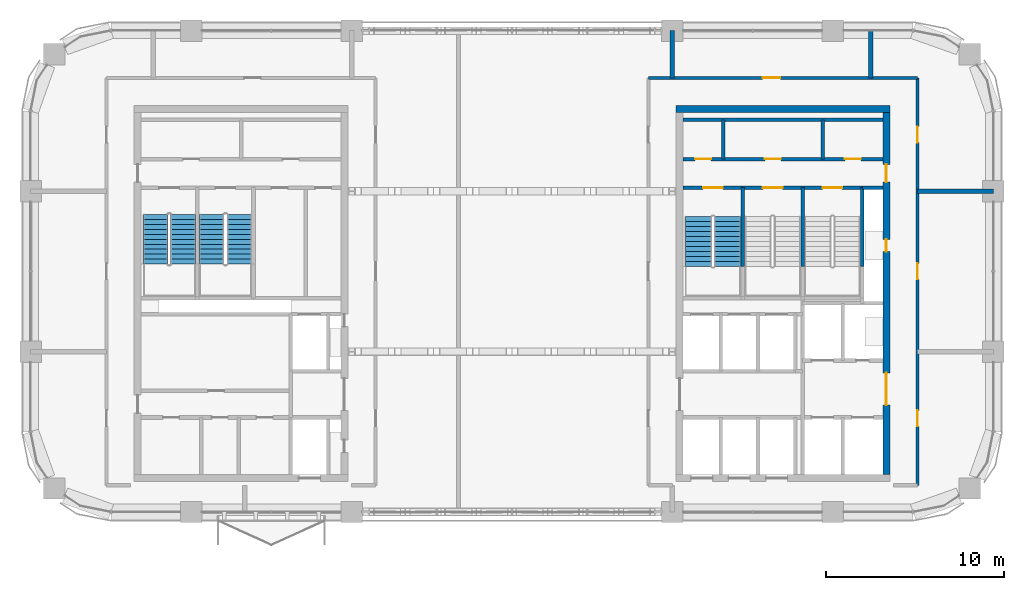
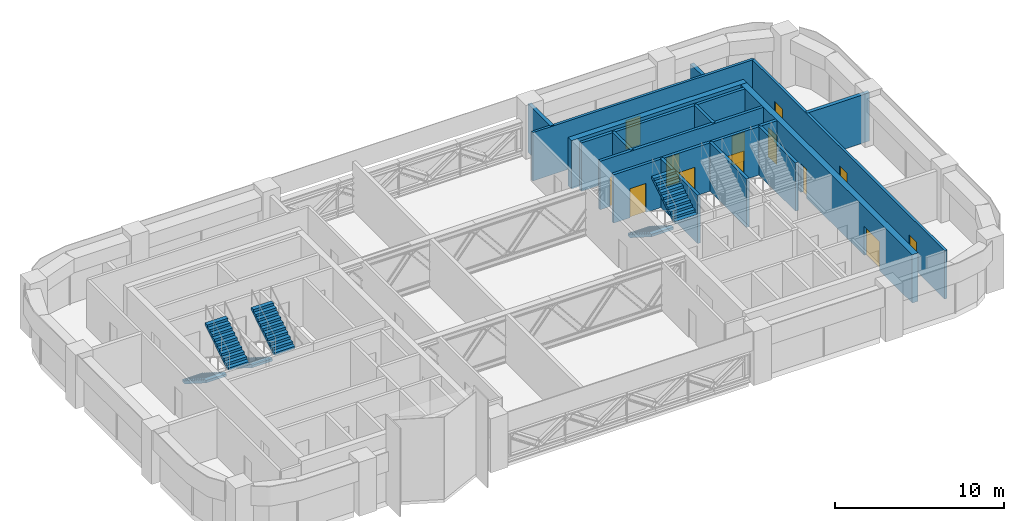
# One storey, part 11 of 14: 16 walls, 13 doors, 6 stair flights, 13 openings, 3 elements without a shape of their own.
"""IFC4 building model written with IfcOpenShell, lengths in metres."""

from ifc_helpers import new_model, si_unit, direction, frame, frame_2d, origin, place, context, subcontext, project, spatial, polyline, rectangle, outline, extrude, material, layer, layer_set, type_object, element, fill, aggregate, save


model = new_model("IFC4")

# Units and contexts
model_context = context("Model", 3, precision=1e-05, world=origin(), true_north=direction((0.0, 1.0)))
body_context = subcontext(model_context, "Body", "Model", "MODEL_VIEW")
ifc_project = project(units=[si_unit("LENGTHUNIT", "METRE"), si_unit("AREAUNIT", "SQUARE_METRE"), si_unit("VOLUMEUNIT", "CUBIC_METRE"), si_unit("PLANEANGLEUNIT", "RADIAN"), si_unit("MASSUNIT", "GRAM", prefix="KILO")], contexts=[model_context])

# Site, building, storey
site_placement = place(None, origin())
site = spatial("IfcSite", under=ifc_project, at=site_placement, CompositionType="ELEMENT")
building_placement = place(site_placement, origin())
building = spatial("IfcBuilding", under=site, at=building_placement, Name="Tessera Arch", CompositionType="ELEMENT")
storey_placement = place(building_placement, frame((0.0, 0.0, 226.699951171875)))
storey = spatial("IfcBuildingStorey", under=building, at=storey_placement, Name="L54", CompositionType="ELEMENT", Elevation=226.699951171875)

# Walls
ifc_material_1 = material(Name="Gypsum board on steel stud", Category="steel")
ifc_layer_1 = layer(ifc_material_1, 0.125)
ifc_layer_set_1 = layer_set([ifc_layer_1], Name="Core partition 125 EI 60")
wall_type_1 = type_object("IfcWallType", Name="Core partition 125 EI 60", PredefinedType="PARTITIONING", material=ifc_layer_set_1)
for number, where, z_axis, x_axis, name in (
    (1, (38.840087890625, 46.800048828125, 0.0), (0.0, 0.0, 1.0), (0.0, 1.0, 0.0), "L54 C1 partition wall 3"),
    (2, (44.43994140625, 46.800048828125, 0.0), (0.0, 0.0, 1.0), (0.0, 1.0, 0.0), "L54 C1 partition wall 13"),
):
    element("IfcWall", number, at=place(storey_placement, frame(where, z_axis=z_axis, x_axis=x_axis)), inside=storey, type_object=wall_type_1, Name=name, PredefinedType="PARTITIONING", context=body_context, shape_type="SweptSolid", body=[
        extrude(rectangle(XDim=2.199951171875, YDim=0.199951171875, at=frame_2d((1.10009765625, 0.0))), origin(), (0.0, 0.0, 1.0), 3.5),
    ])

# Wall, openings, doors
wall_1_placement = place(storey_placement, frame((36.60009765625, 46.800048828125, 0.0), z_axis=(0.0, 0.0, 1.0), x_axis=(1.0, 0.0, 0.0)))
wall_1 = element("IfcWall", 3, at=wall_1_placement, inside=storey, type_object=wall_type_1, Name="L54 C1 partition wall 32", PredefinedType="PARTITIONING", context=body_context, shape_type="SweptSolid", body=[
    extrude(rectangle(XDim=11.199951171875, YDim=0.199951171875, at=frame_2d((5.60009765625, 0.0))), origin(), (0.0, 0.0, 1.0), 3.5),
])
opening_1_placement = place(wall_1_placement, frame((0.669921875, 0.0, 0.0)))
opening_1 = element("IfcOpeningElement", 4, at=opening_1_placement, cuts=wall_1, Name="Opening L54-C18", PredefinedType="OPENING", context=body_context, shape_type="SweptSolid", body=[
    extrude(rectangle(XDim=0.89990234375, YDim=2.10009765625, at=frame_2d((0.449951171875, 1.050048828125))), frame((0.0, 0.10986328125, 0.0), z_axis=(0.0, -1.0, 0.0), x_axis=(1.0, 0.0, 0.0)), (0.0, 0.0, 1.0), 0.219970703125),
])
opening_2_placement = place(wall_1_placement, frame((4.590087890625, 0.0, 0.0)))
opening_2 = element("IfcOpeningElement", 5, at=opening_2_placement, cuts=wall_1, Name="Opening L54-C19", PredefinedType="OPENING", context=body_context, shape_type="SweptSolid", body=[
    extrude(rectangle(XDim=0.89990234375, YDim=2.10009765625, at=frame_2d((0.449951171875, 1.050048828125))), frame((0.0, 0.10986328125, 0.0), z_axis=(0.0, -1.0, 0.0), x_axis=(1.0, 0.0, 0.0)), (0.0, 0.0, 1.0), 0.219970703125),
])
opening_3_placement = place(wall_1_placement, frame((9.070068359375, 0.0, 0.0)))
opening_3 = element("IfcOpeningElement", 6, at=opening_3_placement, cuts=wall_1, Name="Opening L54-C20", PredefinedType="OPENING", context=body_context, shape_type="SweptSolid", body=[
    extrude(rectangle(XDim=0.89990234375, YDim=2.10009765625, at=frame_2d((0.449951171875, 1.050048828125))), frame((0.0, 0.10986328125, 0.0), z_axis=(0.0, -1.0, 0.0), x_axis=(1.0, 0.0, 0.0)), (0.0, 0.0, 1.0), 0.219970703125),
])
ifc_material_2 = material(Name="Steel door leaf", Category="steel")
door_type_1 = type_object("IfcDoorType", Name="Store door FD30S 900 x 2100", OperationType="SINGLE_SWING_LEFT", PredefinedType="DOOR", material=ifc_material_2)
door_1_placement = place(opening_1_placement, origin())
door_1 = element("IfcDoor", 7, at=door_1_placement, inside=storey, type_object=door_type_1, Name="L54 C1 door 18 C18 type D09", OperationType="SINGLE_SWING_LEFT", OverallHeight=2.10009765625, OverallWidth=0.89990234375, PredefinedType="DOOR", context=body_context, shape_type="SweptSolid", body=[
    extrude(rectangle(XDim=0.89990234375, YDim=2.10009765625, at=frame_2d((0.449951171875, 1.050048828125))), frame((0.0, 0.02490234375, 0.0), z_axis=(0.0, -1.0, 0.0), x_axis=(1.0, 0.0, 0.0)), (0.0, 0.0, 1.0), 0.050048828125),
])
fill(opening_1, door_1)
door_2_placement = place(opening_2_placement, origin())
door_2 = element("IfcDoor", 8, at=door_2_placement, inside=storey, type_object=door_type_1, Name="L54 C1 door 19 C19 type D09", OperationType="SINGLE_SWING_LEFT", OverallHeight=2.10009765625, OverallWidth=0.89990234375, PredefinedType="DOOR", context=body_context, shape_type="SweptSolid", body=[
    extrude(rectangle(XDim=0.89990234375, YDim=2.10009765625, at=frame_2d((0.449951171875, 1.050048828125))), frame((0.0, 0.02490234375, 0.0), z_axis=(0.0, -1.0, 0.0), x_axis=(1.0, 0.0, 0.0)), (0.0, 0.0, 1.0), 0.050048828125),
])
fill(opening_2, door_2)
door_3_placement = place(opening_3_placement, origin())
door_3 = element("IfcDoor", 9, at=door_3_placement, inside=storey, type_object=door_type_1, Name="L54 C1 door 20 C20 type D09", OperationType="SINGLE_SWING_RIGHT", OverallHeight=2.10009765625, OverallWidth=0.89990234375, PredefinedType="DOOR", context=body_context, shape_type="SweptSolid", body=[
    extrude(rectangle(XDim=0.89990234375, YDim=2.10009765625, at=frame_2d((0.449951171875, 1.050048828125))), frame((0.0, 0.02490234375, 0.0), z_axis=(0.0, -1.0, 0.0), x_axis=(1.0, 0.0, 0.0)), (0.0, 0.0, 1.0), 0.050048828125),
])
fill(opening_3, door_3)

# Walls
wall_2_placement = place(storey_placement, frame((36.60009765625, 49.0, 0.0), z_axis=(0.0, 0.0, 1.0), x_axis=(1.0, 0.0, 0.0)))
element("IfcWall", 10, at=wall_2_placement, inside=storey, type_object=wall_type_1, Name="L54 C1 partition wall 33", PredefinedType="PARTITIONING", context=body_context, shape_type="SweptSolid", body=[
    extrude(rectangle(XDim=11.199951171875, YDim=0.199951171875, at=frame_2d((5.60009765625, 0.0))), origin(), (0.0, 0.0, 1.0), 3.5),
])
ifc_material_3 = material(Name="Concrete C50/60", Category="concrete")
ifc_layer_2 = layer(ifc_material_3, 0.39990234375)
ifc_layer_set_2 = layer_set([ifc_layer_2], Name="Core shell wall 400 C50-60")
wall_type_2 = type_object("IfcWallType", Name="Core shell wall 400 C50-60", PredefinedType="SHEAR", material=ifc_layer_set_2)
wall_3_placement = place(storey_placement, frame((36.199951171875, 49.60009765625, 0.0), z_axis=(0.0, 0.0, 1.0), x_axis=(1.0, 0.0, 0.0)))
element("IfcWall", 11, at=wall_3_placement, inside=storey, type_object=wall_type_2, Name="L54 C1 core wall N", PredefinedType="SHEAR", context=body_context, shape_type="SweptSolid", body=[
    extrude(rectangle(XDim=12.0, YDim=0.39990234375, at=frame_2d((6.0, 0.0))), origin(), (0.0, 0.0, 1.0), 3.5),
])

# Wall, openings, doors
wall_4_placement = place(storey_placement, frame((48.0, 29.10009765625, 0.0), z_axis=(0.0, 0.0, 1.0), x_axis=(0.0, 1.0, 0.0)))
wall_4 = element("IfcWall", 12, at=wall_4_placement, inside=storey, type_object=wall_type_2, Name="L54 C1 core wall E", PredefinedType="SHEAR", context=body_context, shape_type="SweptSolid", body=[
    extrude(rectangle(XDim=20.2998046875, YDim=0.39990234375, at=frame_2d((10.14990234375, 0.0))), origin(), (0.0, 0.0, 1.0), 3.5),
])
opening_4_placement = place(wall_4_placement, frame((12.5, 0.0, 0.0)))
opening_4 = element("IfcOpeningElement", 13, at=opening_4_placement, cuts=wall_4, Name="Opening L54-C14", PredefinedType="OPENING", context=body_context, shape_type="SweptSolid", body=[
    extrude(rectangle(XDim=0.699951171875, YDim=2.10009765625, at=frame_2d((0.35009765625, 1.050048828125))), frame((0.0, 0.2099609375, 0.0), z_axis=(0.0, -1.0, 0.0), x_axis=(1.0, 0.0, 0.0)), (0.0, 0.0, 1.0), 0.419921875),
])
opening_5_placement = place(wall_4_placement, frame((3.89990234375, 0.0, 0.0)))
opening_5 = element("IfcOpeningElement", 14, at=opening_5_placement, cuts=wall_4, Name="Opening L54-C15", PredefinedType="OPENING", context=body_context, shape_type="SweptSolid", body=[
    extrude(rectangle(XDim=1.800048828125, YDim=2.10009765625, at=frame_2d((0.89990234375, 1.050048828125))), frame((0.0, 0.2099609375, 0.0), z_axis=(0.0, -1.0, 0.0), x_axis=(1.0, 0.0, 0.0)), (0.0, 0.0, 1.0), 0.419921875),
])
opening_6_placement = place(wall_4_placement, frame((16.39990234375, 0.0, 0.0)))
opening_6 = element("IfcOpeningElement", 15, at=opening_6_placement, cuts=wall_4, Name="Opening L54-C17", PredefinedType="OPENING", context=body_context, shape_type="SweptSolid", body=[
    extrude(rectangle(XDim=1.0, YDim=2.10009765625, at=frame_2d((0.5, 1.050048828125))), frame((0.0, 0.2099609375, 0.0), z_axis=(0.0, -1.0, 0.0), x_axis=(1.0, 0.0, 0.0)), (0.0, 0.0, 1.0), 0.419921875),
])
ifc_material_4 = material(Name="Steel door leaf", Category="steel")
door_type_2 = type_object("IfcDoorType", Name="Corridor door FD60 1000 x 2100", OperationType="SINGLE_SWING_LEFT", PredefinedType="DOOR", material=ifc_material_4)
door_4_placement = place(opening_6_placement, origin())
door_4 = element("IfcDoor", 16, at=door_4_placement, inside=storey, type_object=door_type_2, Name="L54 C1 door 17 C17 type D12", OperationType="SINGLE_SWING_RIGHT", OverallHeight=2.10009765625, OverallWidth=1.0, PredefinedType="DOOR", context=body_context, shape_type="SweptSolid", body=[
    extrude(rectangle(XDim=1.0, YDim=2.10009765625, at=frame_2d((0.5, 1.050048828125))), frame((0.0, 0.02490234375, 0.0), z_axis=(0.0, -1.0, 0.0), x_axis=(1.0, 0.0, 0.0)), (0.0, 0.0, 1.0), 0.050048828125),
])
fill(opening_6, door_4)
ifc_material_5 = material(Name="Glazed steel door leaf", Category="steel")
door_type_3 = type_object("IfcDoorType", Name="Lobby double door FD60 1800 x 2100", OperationType="DOUBLE_DOOR_SINGLE_SWING", PredefinedType="DOOR", material=ifc_material_5)
door_5_placement = place(opening_5_placement, origin())
door_5 = element("IfcDoor", 17, at=door_5_placement, inside=storey, type_object=door_type_3, Name="L54 C1 door 15 C15 type D19", OperationType="DOUBLE_DOOR_SINGLE_SWING", OverallHeight=2.10009765625, OverallWidth=1.800048828125, PredefinedType="DOOR", context=body_context, shape_type="SweptSolid", body=[
    extrude(rectangle(XDim=1.800048828125, YDim=2.10009765625, at=frame_2d((0.89990234375, 1.050048828125))), frame((0.0, 0.02490234375, 0.0), z_axis=(0.0, -1.0, 0.0), x_axis=(1.0, 0.0, 0.0)), (0.0, 0.0, 1.0), 0.050048828125),
])
fill(opening_5, door_5)
ifc_material_6 = material(Name="Steel door leaf", Category="steel")
door_type_4 = type_object("IfcDoorType", Name="Service shaft door FD60 700 x 2100", OperationType="SINGLE_SWING_LEFT", PredefinedType="DOOR", material=ifc_material_6)
door_6_placement = place(opening_4_placement, origin())
door_6 = element("IfcDoor", 18, at=door_6_placement, inside=storey, type_object=door_type_4, Name="L54 C1 door 14 C14 type D07", OperationType="SINGLE_SWING_RIGHT", OverallHeight=2.10009765625, OverallWidth=0.699951171875, PredefinedType="DOOR", context=body_context, shape_type="SweptSolid", body=[
    extrude(rectangle(XDim=0.699951171875, YDim=2.10009765625, at=frame_2d((0.35009765625, 1.050048828125))), frame((0.0, 0.02490234375, 0.0), z_axis=(0.0, -1.0, 0.0), x_axis=(1.0, 0.0, 0.0)), (0.0, 0.0, 1.0), 0.050048828125),
])
fill(opening_4, door_6)

# Wall, opening, door
ifc_material_7 = material(Name="Gypsum board on deep steel stud with mineral wool", Category="steel")
ifc_layer_3 = layer(ifc_material_7, 0.175048828125)
ifc_layer_set_3 = layer_set([ifc_layer_3], Name="Corridor wall 175 EI 60")
wall_type_3 = type_object("IfcWallType", Name="Corridor wall 175 EI 60", PredefinedType="PARTITIONING", material=ifc_layer_set_3)
wall_5_placement = place(storey_placement, frame((34.64990234375, 51.35009765625, 0.0), z_axis=(0.0, 0.0, 1.0), x_axis=(1.0, 0.0, 0.0)))
wall_5 = element("IfcWall", 19, at=wall_5_placement, inside=storey, type_object=wall_type_3, Name="L54 partition 6", PredefinedType="PARTITIONING", context=body_context, shape_type="SweptSolid", body=[
    extrude(rectangle(XDim=15.10009765625, YDim=0.175048828125, at=frame_2d((7.550048828125, 0.0))), origin(), (0.0, 0.0, 1.0), 3.5),
])
opening_7_placement = place(wall_5_placement, frame((6.40673828125, 0.0, 0.0)))
opening_7 = element("IfcOpeningElement", 20, at=opening_7_placement, cuts=wall_5, Name="Opening L54-D014", PredefinedType="OPENING", context=body_context, shape_type="SweptSolid", body=[
    extrude(rectangle(XDim=1.0, YDim=2.10009765625, at=frame_2d((0.5, 1.050048828125))), frame((0.0, 0.097412109375, 0.0), z_axis=(0.0, -1.0, 0.0), x_axis=(1.0, 0.0, 0.0)), (0.0, 0.0, 1.0), 0.195068359375),
])
ifc_material_8 = material(Name="Fire-rated door leaf")
door_type_5 = type_object("IfcDoorType", Name="Entrance door FD30S 1000 x 2100", OperationType="SINGLE_SWING_LEFT", PredefinedType="DOOR", material=ifc_material_8)
door_7_placement = place(opening_7_placement, origin())
door_7 = element("IfcDoor", 21, at=door_7_placement, inside=storey, type_object=door_type_5, Name="L54 door D014 type D03", OperationType="SINGLE_SWING_RIGHT", OverallHeight=2.10009765625, OverallWidth=1.0, PredefinedType="DOOR", context=body_context, shape_type="SweptSolid", body=[
    extrude(rectangle(XDim=1.0, YDim=2.10009765625, at=frame_2d((0.5, 1.050048828125))), frame((0.0, 0.02490234375, 0.0), z_axis=(0.0, -1.0, 0.0), x_axis=(1.0, 0.0, 0.0)), (0.0, 0.0, 1.0), 0.050048828125),
])
fill(opening_7, door_7)

# Wall, openings, doors
wall_6_placement = place(storey_placement, frame((49.75, 28.5, 0.0), z_axis=(0.0, 0.0, 1.0), x_axis=(0.0, 1.0, 0.0)))
wall_6 = element("IfcWall", 22, at=wall_6_placement, inside=storey, type_object=wall_type_3, Name="L54 partition 10", PredefinedType="PARTITIONING", context=body_context, shape_type="SweptSolid", body=[
    extrude(rectangle(XDim=22.85009765625, YDim=0.175048828125, at=frame_2d((11.425048828125, 0.0))), origin(), (0.0, 0.0, 1.0), 3.5),
])
opening_8_placement = place(wall_6_placement, frame((3.300048828125, 0.0, 0.0)))
opening_8 = element("IfcOpeningElement", 23, at=opening_8_placement, cuts=wall_6, Name="Opening L54-D001", PredefinedType="OPENING", context=body_context, shape_type="SweptSolid", body=[
    extrude(rectangle(XDim=0.89990234375, YDim=2.10009765625, at=frame_2d((0.449951171875, 1.050048828125))), frame((0.0, 0.097412109375, 0.0), z_axis=(0.0, -1.0, 0.0), x_axis=(1.0, 0.0, 0.0)), (0.0, 0.0, 1.0), 0.195068359375),
])
opening_9_placement = place(wall_6_placement, frame((11.550048828125, 0.0, 0.0)))
opening_9 = element("IfcOpeningElement", 24, at=opening_9_placement, cuts=wall_6, Name="Opening L54-D008", PredefinedType="OPENING", context=body_context, shape_type="SweptSolid", body=[
    extrude(rectangle(XDim=0.89990234375, YDim=2.10009765625, at=frame_2d((0.449951171875, 1.050048828125))), frame((0.0, 0.097412109375, 0.0), z_axis=(0.0, -1.0, 0.0), x_axis=(1.0, 0.0, 0.0)), (0.0, 0.0, 1.0), 0.195068359375),
])
opening_10_placement = place(wall_6_placement, frame((19.22509765625, 0.0, 0.0)))
opening_10 = element("IfcOpeningElement", 25, at=opening_10_placement, cuts=wall_6, Name="Opening L54-D011", PredefinedType="OPENING", context=body_context, shape_type="SweptSolid", body=[
    extrude(rectangle(XDim=0.89990234375, YDim=2.10009765625, at=frame_2d((0.449951171875, 1.050048828125))), frame((0.0, 0.097412109375, 0.0), z_axis=(0.0, -1.0, 0.0), x_axis=(1.0, 0.0, 0.0)), (0.0, 0.0, 1.0), 0.195068359375),
])
ifc_material_9 = material(Name="Timber door leaf", Category="wood")
door_type_6 = type_object("IfcDoorType", Name="Room door 900 x 2100", OperationType="SINGLE_SWING_LEFT", PredefinedType="DOOR", material=ifc_material_9)
door_8_placement = place(opening_8_placement, origin())
door_8 = element("IfcDoor", 26, at=door_8_placement, inside=storey, type_object=door_type_6, Name="L54 door D001 type D01", OperationType="SINGLE_SWING_RIGHT", OverallHeight=2.10009765625, OverallWidth=0.89990234375, PredefinedType="DOOR", context=body_context, shape_type="SweptSolid", body=[
    extrude(rectangle(XDim=0.89990234375, YDim=2.10009765625, at=frame_2d((0.449951171875, 1.050048828125))), frame((0.0, 0.02490234375, 0.0), z_axis=(0.0, -1.0, 0.0), x_axis=(1.0, 0.0, 0.0)), (0.0, 0.0, 1.0), 0.050048828125),
])
fill(opening_8, door_8)
door_9_placement = place(opening_9_placement, origin())
door_9 = element("IfcDoor", 27, at=door_9_placement, inside=storey, type_object=door_type_6, Name="L54 door D008 type D01", OperationType="SINGLE_SWING_LEFT", OverallHeight=2.10009765625, OverallWidth=0.89990234375, PredefinedType="DOOR", context=body_context, shape_type="SweptSolid", body=[
    extrude(rectangle(XDim=0.89990234375, YDim=2.10009765625, at=frame_2d((0.449951171875, 1.050048828125))), frame((0.0, 0.02490234375, 0.0), z_axis=(0.0, -1.0, 0.0), x_axis=(1.0, 0.0, 0.0)), (0.0, 0.0, 1.0), 0.050048828125),
])
fill(opening_9, door_9)
door_10_placement = place(opening_10_placement, origin())
door_10 = element("IfcDoor", 28, at=door_10_placement, inside=storey, type_object=door_type_6, Name="L54 door D011 type D01", OperationType="SINGLE_SWING_RIGHT", OverallHeight=2.10009765625, OverallWidth=0.89990234375, PredefinedType="DOOR", context=body_context, shape_type="SweptSolid", body=[
    extrude(rectangle(XDim=0.89990234375, YDim=2.10009765625, at=frame_2d((0.449951171875, 1.050048828125))), frame((0.0, 0.02490234375, 0.0), z_axis=(0.0, -1.0, 0.0), x_axis=(1.0, 0.0, 0.0)), (0.0, 0.0, 1.0), 0.050048828125),
])
fill(opening_10, door_10)

# Walls
ifc_material_10 = material(Name="Double gypsum board on twin steel stud with acoustic mineral wool", Category="steel")
ifc_layer_4 = layer(ifc_material_10, 0.25)
ifc_layer_set_4 = layer_set([ifc_layer_4], Name="Party wall 250 EI 60")
wall_type_4 = type_object("IfcWallType", Name="Party wall 250 EI 60", PredefinedType="PARTITIONING", material=ifc_layer_set_4)
wall_7_placement = place(storey_placement, frame((49.75, 45.0, 0.0), z_axis=(0.0, 0.0, 1.0), x_axis=(1.0, 0.0, 0.0)))
element("IfcWall", 29, at=wall_7_placement, inside=storey, type_object=wall_type_4, Name="L54 partition 16", PredefinedType="PARTITIONING", context=body_context, shape_type="SweptSolid", body=[
    extrude(rectangle(XDim=4.25, YDim=0.25, at=frame_2d((2.125, 0.0))), origin(), (0.0, 0.0, 1.0), 3.5),
])
wall_8_placement = place(storey_placement, frame((36.0, 51.35009765625, 0.0), z_axis=(0.0, 0.0, 1.0), x_axis=(0.0, 1.0, 0.0)))
element("IfcWall", 30, at=wall_8_placement, inside=storey, type_object=wall_type_4, Name="L54 partition 22", PredefinedType="PARTITIONING", context=body_context, shape_type="SweptSolid", body=[
    extrude(rectangle(XDim=2.64990234375, YDim=0.25, at=frame_2d((1.324951171875, 0.0))), origin(), (0.0, 0.0, 1.0), 3.5),
])
wall_9_placement = place(storey_placement, frame((47.114013671875, 51.35009765625, 0.0), z_axis=(0.0, 0.0, 1.0), x_axis=(0.0, 1.0, 0.0)))
element("IfcWall", 31, at=wall_9_placement, inside=storey, type_object=wall_type_4, Name="L54 partition 23", PredefinedType="PARTITIONING", context=body_context, shape_type="SweptSolid", body=[
    extrude(rectangle(XDim=2.64990234375, YDim=0.25, at=frame_2d((1.324951171875, 0.0))), origin(), (0.0, 0.0, 1.0), 2.5),
])
ifc_material_11 = material(Name="Concrete C40/50", Category="concrete")
ifc_layer_5 = layer(ifc_material_11, 0.199951171875)
ifc_layer_set_5 = layer_set([ifc_layer_5], Name="Shaft wall 200 EI 120")
wall_type_5 = type_object("IfcWallType", Name="Shaft wall 200 EI 120", PredefinedType="SOLIDWALL", material=ifc_layer_set_5)
wall_10_placement = place(storey_placement, frame((46.64990234375, 45.199951171875, 0.0), z_axis=(0.0, 0.0, 1.0), x_axis=(1.0, 0.0, 0.0)))
element("IfcWall", 32, at=wall_10_placement, inside=storey, type_object=wall_type_5, Name="L54 C1 shaft wall 30", PredefinedType="SOLIDWALL", context=body_context, shape_type="SweptSolid", body=[
    extrude(rectangle(XDim=1.150146484375, YDim=0.199951171875, at=frame_2d((0.5751953125, 0.0))), origin(), (0.0, 0.0, 1.0), 3.5),
])
ifc_material_12 = material(Name="Concrete C40/50", Category="concrete")
ifc_layer_6 = layer(ifc_material_12, 0.199951171875)
ifc_layer_set_6 = layer_set([ifc_layer_6], Name="Stair well wall 200 REI 180")
wall_type_6 = type_object("IfcWallType", Name="Stair well wall 200 REI 180", PredefinedType="SOLIDWALL", material=ifc_layer_set_6)
for number, where, z_axis, x_axis, name in (
    (33, (39.949951171875, 40.780029296875, 0.0), (0.0, 0.0, 1.0), (0.0, 1.0, 0.0), "L54 C1 shaft wall 5"),
    (34, (43.300048828125, 40.780029296875, 0.0), (0.0, 0.0, 1.0), (0.0, 1.0, 0.0), "L54 C1 shaft wall 12"),
    (35, (46.64990234375, 40.780029296875, 0.0), (0.0, 0.0, 1.0), (0.0, 1.0, 0.0), "L54 C1 shaft wall 18"),
):
    element("IfcWall", number, at=place(storey_placement, frame(where, z_axis=z_axis, x_axis=x_axis)), inside=storey, type_object=wall_type_6, Name=name, PredefinedType="SOLIDWALL", context=body_context, shape_type="SweptSolid", body=[
        extrude(rectangle(XDim=4.419921875, YDim=0.199951171875, at=frame_2d((2.2099609375, 0.0))), origin(), (0.0, 0.0, 1.0), 3.5),
    ])

# Wall, openings, doors
wall_11_placement = place(storey_placement, frame((36.60009765625, 45.199951171875, 0.0), z_axis=(0.0, 0.0, 1.0), x_axis=(1.0, 0.0, 0.0)))
wall_11 = element("IfcWall", 36, at=wall_11_placement, inside=storey, type_object=wall_type_6, Name="L54 C1 shaft wall 31", PredefinedType="SOLIDWALL", context=body_context, shape_type="SweptSolid", body=[
    extrude(rectangle(XDim=10.0498046875, YDim=0.199951171875, at=frame_2d((5.02490234375, 0.0))), origin(), (0.0, 0.0, 1.0), 3.5),
])
opening_11_placement = place(wall_11_placement, frame((1.125, 0.0, 0.0)))
opening_11 = element("IfcOpeningElement", 37, at=opening_11_placement, cuts=wall_11, Name="Opening L54-C11", PredefinedType="OPENING", context=body_context, shape_type="SweptSolid", body=[
    extrude(rectangle(XDim=1.10009765625, YDim=2.10009765625, at=frame_2d((0.550048828125, 1.050048828125))), frame((0.0, 0.10986328125, 0.0), z_axis=(0.0, -1.0, 0.0), x_axis=(1.0, 0.0, 0.0)), (0.0, 0.0, 1.0), 0.219970703125),
])
opening_12_placement = place(wall_11_placement, frame((4.47509765625, 0.0, 0.0)))
opening_12 = element("IfcOpeningElement", 38, at=opening_12_placement, cuts=wall_11, Name="Opening L54-C12", PredefinedType="OPENING", context=body_context, shape_type="SweptSolid", body=[
    extrude(rectangle(XDim=1.10009765625, YDim=2.10009765625, at=frame_2d((0.550048828125, 1.050048828125))), frame((0.0, 0.10986328125, 0.0), z_axis=(0.0, -1.0, 0.0), x_axis=(1.0, 0.0, 0.0)), (0.0, 0.0, 1.0), 0.219970703125),
])
opening_13_placement = place(wall_11_placement, frame((7.824951171875, 0.0, 0.0)))
opening_13 = element("IfcOpeningElement", 39, at=opening_13_placement, cuts=wall_11, Name="Opening L54-C13", PredefinedType="OPENING", context=body_context, shape_type="SweptSolid", body=[
    extrude(rectangle(XDim=1.10009765625, YDim=2.10009765625, at=frame_2d((0.550048828125, 1.050048828125))), frame((0.0, 0.10986328125, 0.0), z_axis=(0.0, -1.0, 0.0), x_axis=(1.0, 0.0, 0.0)), (0.0, 0.0, 1.0), 0.219970703125),
])
ifc_material_13 = material(Name="Steel door leaf", Category="steel")
door_type_7 = type_object("IfcDoorType", Name="Stair door FD60 1100 x 2100", OperationType="SINGLE_SWING_LEFT", PredefinedType="DOOR", material=ifc_material_13)
door_11_placement = place(opening_11_placement, origin())
door_11 = element("IfcDoor", 40, at=door_11_placement, inside=storey, type_object=door_type_7, Name="L54 C1 door 11 C11 type D05", OperationType="SINGLE_SWING_LEFT", OverallHeight=2.10009765625, OverallWidth=1.10009765625, PredefinedType="DOOR", context=body_context, shape_type="SweptSolid", body=[
    extrude(rectangle(XDim=1.10009765625, YDim=2.10009765625, at=frame_2d((0.550048828125, 1.050048828125))), frame((0.0, 0.02490234375, 0.0), z_axis=(0.0, -1.0, 0.0), x_axis=(1.0, 0.0, 0.0)), (0.0, 0.0, 1.0), 0.050048828125),
])
fill(opening_11, door_11)
door_12_placement = place(opening_12_placement, origin())
door_12 = element("IfcDoor", 41, at=door_12_placement, inside=storey, type_object=door_type_7, Name="L54 C1 door 12 C12 type D05", OperationType="SINGLE_SWING_RIGHT", OverallHeight=2.10009765625, OverallWidth=1.10009765625, PredefinedType="DOOR", context=body_context, shape_type="SweptSolid", body=[
    extrude(rectangle(XDim=1.10009765625, YDim=2.10009765625, at=frame_2d((0.550048828125, 1.050048828125))), frame((0.0, 0.02490234375, 0.0), z_axis=(0.0, -1.0, 0.0), x_axis=(1.0, 0.0, 0.0)), (0.0, 0.0, 1.0), 0.050048828125),
])
fill(opening_12, door_12)
door_13_placement = place(opening_13_placement, origin())
door_13 = element("IfcDoor", 42, at=door_13_placement, inside=storey, type_object=door_type_7, Name="L54 C1 door 13 C13 type D05", OperationType="SINGLE_SWING_RIGHT", OverallHeight=2.10009765625, OverallWidth=1.10009765625, PredefinedType="DOOR", context=body_context, shape_type="SweptSolid", body=[
    extrude(rectangle(XDim=1.10009765625, YDim=2.10009765625, at=frame_2d((0.550048828125, 1.050048828125))), frame((0.0, 0.02490234375, 0.0), z_axis=(0.0, -1.0, 0.0), x_axis=(1.0, 0.0, 0.0)), (0.0, 0.0, 1.0), 0.050048828125),
])
fill(opening_13, door_13)

# Stair, stair flights
ifc_material_14 = material(Name="Concrete C40/50", Category="concrete")
stair_type_1 = type_object("IfcStairType", Name="Dogleg stair 1400", PredefinedType="HALF_TURN_STAIR", material=ifc_material_14)
stair_1_placement = place(storey_placement, origin())
stair_1 = element("IfcStair", 43, at=stair_1_placement, inside=storey, type_object=stair_type_1, Name="L54 S2a", PredefinedType="HALF_TURN_STAIR")
ifc_material_15 = material(Name="Concrete C40/50", Category="concrete")
stair_flight_type_1 = type_object("IfcStairFlightType", Name="Stair flight 1400", PredefinedType="STRAIGHT", material=ifc_material_15)
stair_flight_1_placement = place(storey_placement, frame((7.0, 43.699951171875, 0.0), z_axis=(0.0, 0.0, 1.0), x_axis=(0.0, -1.0, 0.0)))
stair_flight_1 = element("IfcStairFlight", 44, at=stair_flight_1_placement, type_object=stair_flight_type_1, Name="S2a flight 1", NumberOfRisers=11, NumberOfTreads=10, PredefinedType="STRAIGHT", RiserHeight=0.177272727, TreadLength=0.28, context=body_context, shape_type="SweptSolid", body=[
    extrude(outline(polyline([(0.0, 0.0), (0.0, 0.17724609375), (0.280029296875, 0.17724609375), (0.280029296875, 0.3544921875), (0.56005859375, 0.3544921875), (0.56005859375, 0.53173828125), (0.840087890625, 0.53173828125), (0.840087890625, 0.708984375), (1.1201171875, 0.708984375), (1.1201171875, 0.886474609375), (1.39990234375, 0.886474609375), (1.39990234375, 1.063720703125), (1.679931640625, 1.063720703125), (1.679931640625, 1.240966796875), (1.9599609375, 1.240966796875), (1.9599609375, 1.418212890625), (2.239990234375, 1.418212890625), (2.239990234375, 1.595458984375), (2.52001953125, 1.595458984375), (2.52001953125, 1.772705078125), (2.800048828125, 1.772705078125), (2.800048828125, 1.949951171875), (2.800048828125, 1.59521484375), (0.2802734375, 0.0), (0.0, 0.0)])), frame((0.0, 0.699951171875, 0.0), z_axis=(0.0, -1.0, 0.0), x_axis=(1.0, 0.0, 0.0)), (0.0, 0.0, 1.0), 1.39990234375),
])
stair_flight_2_placement = place(storey_placement, frame((8.550048828125, 40.89990234375, 1.949951171875), z_axis=(0.0, 0.0, 1.0), x_axis=(0.0, 1.0, 0.0)))
stair_flight_2 = element("IfcStairFlight", 45, at=stair_flight_2_placement, type_object=stair_flight_type_1, Name="S2a flight 2", NumberOfRisers=11, NumberOfTreads=10, PredefinedType="STRAIGHT", RiserHeight=0.177272727, TreadLength=0.28, context=body_context, shape_type="SweptSolid", body=[
    extrude(outline(polyline([(0.0, 0.0), (0.0, 0.17724609375), (0.280029296875, 0.17724609375), (0.280029296875, 0.3544921875), (0.56005859375, 0.3544921875), (0.56005859375, 0.53173828125), (0.840087890625, 0.53173828125), (0.840087890625, 0.708984375), (1.1201171875, 0.708984375), (1.1201171875, 0.886474609375), (1.39990234375, 0.886474609375), (1.39990234375, 1.063720703125), (1.679931640625, 1.063720703125), (1.679931640625, 1.240966796875), (1.9599609375, 1.240966796875), (1.9599609375, 1.418212890625), (2.239990234375, 1.418212890625), (2.239990234375, 1.595458984375), (2.52001953125, 1.595458984375), (2.52001953125, 1.772705078125), (2.800048828125, 1.772705078125), (2.800048828125, 1.949951171875), (2.800048828125, 1.59521484375), (0.2802734375, 0.0), (0.0, 0.0)])), frame((0.0, 0.699951171875, 0.0), z_axis=(0.0, -1.0, 0.0), x_axis=(1.0, 0.0, 0.0)), (0.0, 0.0, 1.0), 1.39990234375),
])
aggregate(stair_1, [stair_flight_1, stair_flight_2])

stair_2_placement = place(storey_placement, origin())
stair_2 = element("IfcStair", 46, at=stair_2_placement, inside=storey, type_object=stair_type_1, Name="L54 S2b", PredefinedType="HALF_TURN_STAIR")
stair_flight_3_placement = place(storey_placement, frame((10.14990234375, 43.699951171875, 0.0), z_axis=(0.0, 0.0, 1.0), x_axis=(0.0, -1.0, 0.0)))
stair_flight_3 = element("IfcStairFlight", 47, at=stair_flight_3_placement, type_object=stair_flight_type_1, Name="S2b flight 1", NumberOfRisers=11, NumberOfTreads=10, PredefinedType="STRAIGHT", RiserHeight=0.177272727, TreadLength=0.28, context=body_context, shape_type="SweptSolid", body=[
    extrude(outline(polyline([(0.0, 0.0), (0.0, 0.17724609375), (0.280029296875, 0.17724609375), (0.280029296875, 0.3544921875), (0.56005859375, 0.3544921875), (0.56005859375, 0.53173828125), (0.840087890625, 0.53173828125), (0.840087890625, 0.708984375), (1.1201171875, 0.708984375), (1.1201171875, 0.886474609375), (1.39990234375, 0.886474609375), (1.39990234375, 1.063720703125), (1.679931640625, 1.063720703125), (1.679931640625, 1.240966796875), (1.9599609375, 1.240966796875), (1.9599609375, 1.418212890625), (2.239990234375, 1.418212890625), (2.239990234375, 1.595458984375), (2.52001953125, 1.595458984375), (2.52001953125, 1.772705078125), (2.800048828125, 1.772705078125), (2.800048828125, 1.949951171875), (2.800048828125, 1.59521484375), (0.2802734375, 0.0), (0.0, 0.0)])), frame((0.0, 0.699951171875, 0.0), z_axis=(0.0, -1.0, 0.0), x_axis=(1.0, 0.0, 0.0)), (0.0, 0.0, 1.0), 1.39990234375),
])
stair_flight_4_placement = place(storey_placement, frame((11.699951171875, 40.89990234375, 1.949951171875), z_axis=(0.0, 0.0, 1.0), x_axis=(0.0, 1.0, 0.0)))
stair_flight_4 = element("IfcStairFlight", 48, at=stair_flight_4_placement, type_object=stair_flight_type_1, Name="S2b flight 2", NumberOfRisers=11, NumberOfTreads=10, PredefinedType="STRAIGHT", RiserHeight=0.177272727, TreadLength=0.28, context=body_context, shape_type="SweptSolid", body=[
    extrude(outline(polyline([(0.0, 0.0), (0.0, 0.17724609375), (0.280029296875, 0.17724609375), (0.280029296875, 0.3544921875), (0.56005859375, 0.3544921875), (0.56005859375, 0.53173828125), (0.840087890625, 0.53173828125), (0.840087890625, 0.708984375), (1.1201171875, 0.708984375), (1.1201171875, 0.886474609375), (1.39990234375, 0.886474609375), (1.39990234375, 1.063720703125), (1.679931640625, 1.063720703125), (1.679931640625, 1.240966796875), (1.9599609375, 1.240966796875), (1.9599609375, 1.418212890625), (2.239990234375, 1.418212890625), (2.239990234375, 1.595458984375), (2.52001953125, 1.595458984375), (2.52001953125, 1.772705078125), (2.800048828125, 1.772705078125), (2.800048828125, 1.949951171875), (2.800048828125, 1.59521484375), (0.2802734375, 0.0), (0.0, 0.0)])), frame((0.0, 0.699951171875, 0.0), z_axis=(0.0, -1.0, 0.0), x_axis=(1.0, 0.0, 0.0)), (0.0, 0.0, 1.0), 1.39990234375),
])
aggregate(stair_2, [stair_flight_3, stair_flight_4])

ifc_material_16 = material(Name="Concrete C40/50", Category="concrete")
stair_type_2 = type_object("IfcStairType", Name="Dogleg stair 1520", PredefinedType="HALF_TURN_STAIR", material=ifc_material_16)
stair_3_placement = place(storey_placement, origin())
stair_3 = element("IfcStair", 49, at=stair_3_placement, inside=storey, type_object=stair_type_2, Name="L54 S1a", PredefinedType="HALF_TURN_STAIR")
ifc_material_17 = material(Name="Concrete C40/50", Category="concrete")
stair_flight_type_2 = type_object("IfcStairFlightType", Name="Stair flight 1520", PredefinedType="STRAIGHT", material=ifc_material_17)
stair_flight_5_placement = place(storey_placement, frame((37.4599609375, 43.580078125, 0.0), z_axis=(0.0, 0.0, 1.0), x_axis=(0.0, -1.0, 0.0)))
stair_flight_5 = element("IfcStairFlight", 50, at=stair_flight_5_placement, type_object=stair_flight_type_2, Name="S1a flight 1", NumberOfRisers=11, NumberOfTreads=10, PredefinedType="STRAIGHT", RiserHeight=0.177272727, TreadLength=0.28, context=body_context, shape_type="SweptSolid", body=[
    extrude(outline(polyline([(0.0, 0.0), (0.0, 0.17724609375), (0.280029296875, 0.17724609375), (0.280029296875, 0.3544921875), (0.56005859375, 0.3544921875), (0.56005859375, 0.53173828125), (0.840087890625, 0.53173828125), (0.840087890625, 0.708984375), (1.1201171875, 0.708984375), (1.1201171875, 0.886474609375), (1.39990234375, 0.886474609375), (1.39990234375, 1.063720703125), (1.679931640625, 1.063720703125), (1.679931640625, 1.240966796875), (1.9599609375, 1.240966796875), (1.9599609375, 1.418212890625), (2.239990234375, 1.418212890625), (2.239990234375, 1.595458984375), (2.52001953125, 1.595458984375), (2.52001953125, 1.772705078125), (2.800048828125, 1.772705078125), (2.800048828125, 1.949951171875), (2.800048828125, 1.59521484375), (0.2802734375, 0.0), (0.0, 0.0)])), frame((0.0, 0.760009765625, 0.0), z_axis=(0.0, -1.0, 0.0), x_axis=(1.0, 0.0, 0.0)), (0.0, 0.0, 1.0), 1.52001953125),
])
stair_flight_6_placement = place(storey_placement, frame((39.090087890625, 40.780029296875, 1.949951171875), z_axis=(0.0, 0.0, 1.0), x_axis=(0.0, 1.0, 0.0)))
stair_flight_6 = element("IfcStairFlight", 51, at=stair_flight_6_placement, type_object=stair_flight_type_2, Name="S1a flight 2", NumberOfRisers=11, NumberOfTreads=10, PredefinedType="STRAIGHT", RiserHeight=0.177272727, TreadLength=0.28, context=body_context, shape_type="SweptSolid", body=[
    extrude(outline(polyline([(0.0, 0.0), (0.0, 0.17724609375), (0.280029296875, 0.17724609375), (0.280029296875, 0.3544921875), (0.56005859375, 0.3544921875), (0.56005859375, 0.53173828125), (0.840087890625, 0.53173828125), (0.840087890625, 0.708984375), (1.1201171875, 0.708984375), (1.1201171875, 0.886474609375), (1.39990234375, 0.886474609375), (1.39990234375, 1.063720703125), (1.679931640625, 1.063720703125), (1.679931640625, 1.240966796875), (1.9599609375, 1.240966796875), (1.9599609375, 1.418212890625), (2.239990234375, 1.418212890625), (2.239990234375, 1.595458984375), (2.52001953125, 1.595458984375), (2.52001953125, 1.772705078125), (2.800048828125, 1.772705078125), (2.800048828125, 1.949951171875), (2.800048828125, 1.59521484375), (0.2802734375, 0.0), (0.0, 0.0)])), frame((0.0, 0.760009765625, 0.0), z_axis=(0.0, -1.0, 0.0), x_axis=(1.0, 0.0, 0.0)), (0.0, 0.0, 1.0), 1.52001953125),
])
aggregate(stair_3, [stair_flight_5, stair_flight_6])

save(model, "model.ifc")
